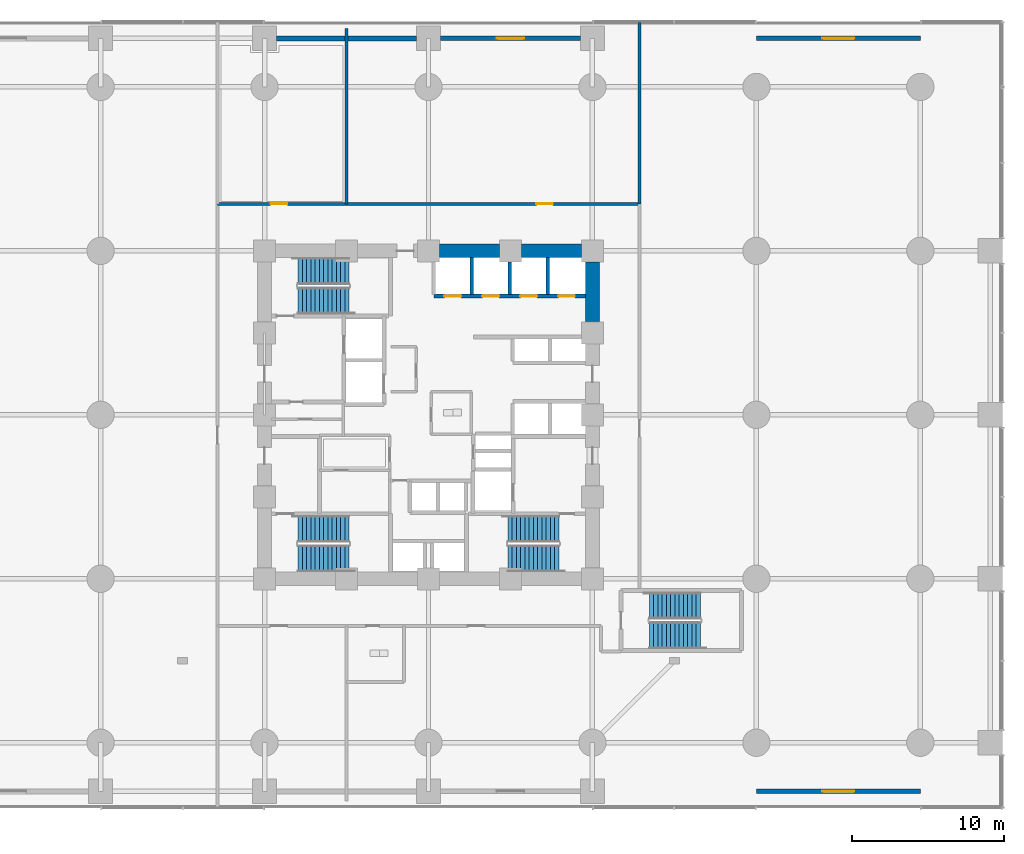
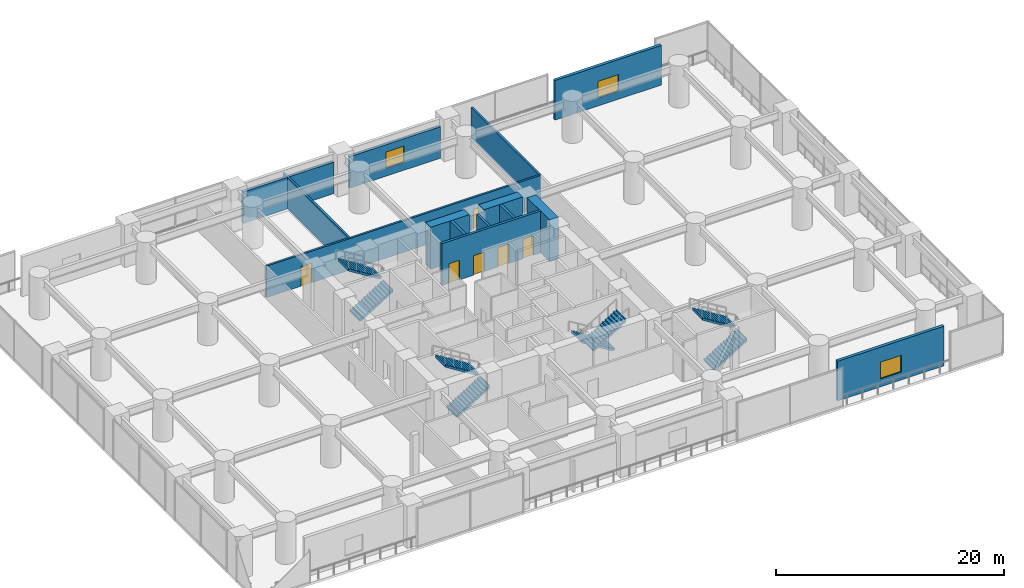
# One storey, part 29 of 36: 14 walls, 8 stair flights, 6 doors, 3 windows, 9 openings, 4 elements without a shape of their own.
"""IFC4 building model written with IfcOpenShell, lengths in metres."""

from ifc_helpers import new_model, si_unit, direction, frame, frame_2d, origin, place, context, subcontext, project, spatial, polyline, rectangle, outline, extrude, material, layer, layer_set, type_object, element, fill, aggregate, save


model = new_model("IFC4")

# Units and contexts
model_context = context("Model", 3, precision=1e-05, world=origin(), true_north=direction((0.0, 1.0)))
body_context = subcontext(model_context, "Body", "Model", "MODEL_VIEW")
ifc_project = project(units=[si_unit("LENGTHUNIT", "METRE"), si_unit("AREAUNIT", "SQUARE_METRE"), si_unit("VOLUMEUNIT", "CUBIC_METRE"), si_unit("PLANEANGLEUNIT", "RADIAN"), si_unit("MASSUNIT", "GRAM", prefix="KILO")], contexts=[model_context])

# Site, building, storey
site_placement = place(None, origin())
site = spatial("IfcSite", under=ifc_project, at=site_placement, CompositionType="ELEMENT")
building_placement = place(site_placement, origin())
building = spatial("IfcBuilding", under=site, at=building_placement, Name="Surkhivell Harbour Commons", CompositionType="ELEMENT")
storey_placement = place(building_placement, frame((0.0, 0.0, 9.0)))
storey = spatial("IfcBuildingStorey", under=building, at=storey_placement, Name="L02", CompositionType="ELEMENT", Elevation=9.0)

# Walls
ifc_material_1 = material(Name="Concrete C80/95", Category="concrete")
ifc_layer_1 = layer(ifc_material_1, 0.89990234375)
ifc_layer_set_1 = layer_set([ifc_layer_1], Name="Concrete C80/95")
wall_type_1 = type_object("IfcWallType", Name="WAL-CORE-900", PredefinedType="SHEAR", material=ifc_layer_set_1)
for number, where, z_axis, x_axis, name in (
    (1, (0.735107421875, 10.800048828125, 0.0), (0.0, 0.0, 1.0), (1.0, 0.0, 0.0), "L02 Core Shear Wall North 3"),
    (2, (6.135009765625, 10.800048828125, 0.0), (0.0, 0.0, 1.0), (1.0, 0.0, 0.0), "L02 Core Shear Wall North 4"),
    (3, (10.800048828125, 6.135009765625, 0.0), (0.0, 0.0, 1.0), (0.0, 1.0, 0.0), "L02 Core Shear Wall East 4"),
):
    element("IfcWall", number, at=place(storey_placement, frame(where, z_axis=z_axis, x_axis=x_axis)), inside=storey, type_object=wall_type_1, Name=name, PredefinedType="SHEAR", context=body_context, shape_type="SweptSolid", body=[
        extrude(rectangle(XDim=3.929931640625, YDim=0.89990234375, at=frame_2d((1.96484375, 0.0))), origin(), (0.0, 0.0, 1.0), 4.5),
    ])

# Wall, opening, window
ifc_material_2 = material(Name="Flemish-bond kiln brick and precast concrete C45/55", Category="masonry")
ifc_layer_2 = layer(ifc_material_2, 0.300048828125)
ifc_layer_set_2 = layer_set([ifc_layer_2], Name="Flemish-bond kiln brick and precast concrete C45/55")
wall_type_2 = type_object("IfcWallType", Name="WAL-EXT-BRK300", PredefinedType="STANDARD", material=ifc_layer_set_2)
wall_1_placement = place(storey_placement, frame((0.798095703125, 24.800048828125, 0.0), z_axis=(0.0, 0.0, 1.0), x_axis=(1.0, 0.0, 0.0)))
wall_1 = element("IfcWall", 4, at=wall_1_placement, inside=storey, type_object=wall_type_2, Name="L02 Podium Brick Facade Wall N5", PredefinedType="STANDARD", context=body_context, shape_type="SweptSolid", body=[
    extrude(rectangle(XDim=9.203857421875, YDim=0.300048828125, at=frame_2d((4.60205078125, 0.0))), origin(), (0.0, 0.0, 1.0), 3.37890625),
])
opening_1_placement = place(wall_1_placement, frame((3.701904296875, 0.0, 0.85009765625)))
opening_1 = element("IfcOpeningElement", 5, at=opening_1_placement, cuts=wall_1, Name="Opening WN-03", PredefinedType="OPENING", context=body_context, shape_type="SweptSolid", body=[
    extrude(rectangle(XDim=1.800048828125, YDim=1.75, at=frame_2d((0.89990234375, 0.875))), frame((0.0, 0.159912109375, 0.0), z_axis=(0.0, -1.0, 0.0), x_axis=(1.0, 0.0, 0.0)), (0.0, 0.0, 1.0), 0.320068359375),
])
ifc_material_3 = material(Name="Thermal-break aluminium frame and double low-E glazing", Category="aluminium")
window_type_1 = type_object("IfcWindowType", Name="WIN-POD-1800x1750", PartitioningType="DOUBLE_PANEL_VERTICAL", PredefinedType="WINDOW", material=ifc_material_3)
window_1_placement = place(opening_1_placement, origin())
window_1 = element("IfcWindow", 6, at=window_1_placement, inside=storey, type_object=window_type_1, Name="L02 Podium Punched Window N5", OverallHeight=1.75, OverallWidth=1.800048828125, PartitioningType="SINGLE_PANEL", PredefinedType="WINDOW", context=body_context, shape_type="SweptSolid", body=[
    extrude(rectangle(XDim=1.800048828125, YDim=1.75, at=frame_2d((0.89990234375, 0.875))), frame((0.0, 0.030029296875, 0.0), z_axis=(0.0, -1.0, 0.0), x_axis=(1.0, 0.0, 0.0)), (0.0, 0.0, 1.0), 0.06005859375),
])
fill(opening_1, window_1)

wall_2_placement = place(storey_placement, frame((21.60009765625, 24.800048828125, 0.0), z_axis=(0.0, 0.0, 1.0), x_axis=(1.0, 0.0, 0.0)))
wall_2 = element("IfcWall", 7, at=wall_2_placement, inside=storey, type_object=wall_type_2, Name="L02 Podium Brick Facade Wall N7", PredefinedType="STANDARD", context=body_context, shape_type="SweptSolid", body=[
    extrude(rectangle(XDim=10.7998046875, YDim=0.300048828125, at=frame_2d((5.39990234375, 0.0))), origin(), (0.0, 0.0, 1.0), 4.25),
])
opening_2_placement = place(wall_2_placement, frame((4.35009765625, 0.0, 0.85009765625)))
opening_2 = element("IfcOpeningElement", 8, at=opening_2_placement, cuts=wall_2, Name="Opening WN-02", PredefinedType="OPENING", context=body_context, shape_type="SweptSolid", body=[
    extrude(rectangle(XDim=2.10009765625, YDim=1.800048828125, at=frame_2d((1.050048828125, 0.89990234375))), frame((0.0, 0.159912109375, 0.0), z_axis=(0.0, -1.0, 0.0), x_axis=(1.0, 0.0, 0.0)), (0.0, 0.0, 1.0), 0.320068359375),
])
window_type_2 = type_object("IfcWindowType", Name="WIN-POD-2100x1800", PartitioningType="DOUBLE_PANEL_VERTICAL", PredefinedType="WINDOW", material=ifc_material_3)
window_2_placement = place(opening_2_placement, origin())
window_2 = element("IfcWindow", 9, at=window_2_placement, inside=storey, type_object=window_type_2, Name="L02 Podium Punched Window N7", OverallHeight=1.800048828125, OverallWidth=2.10009765625, PartitioningType="SINGLE_PANEL", PredefinedType="WINDOW", context=body_context, shape_type="SweptSolid", body=[
    extrude(rectangle(XDim=2.10009765625, YDim=1.800048828125, at=frame_2d((1.050048828125, 0.89990234375))), frame((0.0, 0.030029296875, 0.0), z_axis=(0.0, -1.0, 0.0), x_axis=(1.0, 0.0, 0.0)), (0.0, 0.0, 1.0), 0.06005859375),
])
fill(opening_2, window_2)

wall_3_placement = place(storey_placement, frame((32.39990234375, -24.800048828125, 0.0), z_axis=(0.0, 0.0, 1.0), x_axis=(-1.0, 0.0, 0.0)))
wall_3 = element("IfcWall", 10, at=wall_3_placement, inside=storey, type_object=wall_type_2, Name="L02 Podium Brick Facade Wall S7", PredefinedType="STANDARD", context=body_context, shape_type="SweptSolid", body=[
    extrude(rectangle(XDim=10.7998046875, YDim=0.300048828125, at=frame_2d((5.39990234375, 0.0))), origin(), (0.0, 0.0, 1.0), 4.25),
])
opening_3_placement = place(wall_3_placement, frame((4.35009765625, 0.0, 0.85009765625)))
opening_3 = element("IfcOpeningElement", 11, at=opening_3_placement, cuts=wall_3, Name="Opening WN-02", PredefinedType="OPENING", context=body_context, shape_type="SweptSolid", body=[
    extrude(rectangle(XDim=2.10009765625, YDim=1.800048828125, at=frame_2d((1.050048828125, 0.89990234375))), frame((0.0, 0.159912109375, 0.0), z_axis=(0.0, -1.0, 0.0), x_axis=(1.0, 0.0, 0.0)), (0.0, 0.0, 1.0), 0.320068359375),
])
window_3_placement = place(opening_3_placement, origin())
window_3 = element("IfcWindow", 12, at=window_3_placement, inside=storey, type_object=window_type_2, Name="L02 Podium Punched Window S7", OverallHeight=1.800048828125, OverallWidth=2.10009765625, PartitioningType="SINGLE_PANEL", PredefinedType="WINDOW", context=body_context, shape_type="SweptSolid", body=[
    extrude(rectangle(XDim=2.10009765625, YDim=1.800048828125, at=frame_2d((1.050048828125, 0.89990234375))), frame((0.0, 0.030029296875, 0.0), z_axis=(0.0, -1.0, 0.0), x_axis=(1.0, 0.0, 0.0)), (0.0, 0.0, 1.0), 0.06005859375),
])
fill(opening_3, window_3)

# Walls
ifc_material_4 = material(Name="Kiln-fired surkhi brick and precast concrete C45/55", Category="masonry")
ifc_layer_3 = layer(ifc_material_4, 0.320068359375)
ifc_layer_set_3 = layer_set([ifc_layer_3], Name="Kiln-fired surkhi brick and precast concrete C45/55")
wall_type_3 = type_object("IfcWallType", Name="WAL-EXT-BRK320", PredefinedType="STANDARD", material=ifc_layer_set_3)
wall_4_placement = place(storey_placement, frame((-10.001953125, 24.800048828125, 0.0), z_axis=(0.0, 0.0, 1.0), x_axis=(1.0, 0.0, 0.0)))
element("IfcWall", 13, at=wall_4_placement, inside=storey, type_object=wall_type_3, Name="L02 Podium Brick Facade Wall N4", PredefinedType="STANDARD", context=body_context, shape_type="SweptSolid", body=[
    extrude(rectangle(XDim=9.203857421875, YDim=0.320068359375, at=frame_2d((4.60205078125, 0.0))), origin(), (0.0, 0.0, 1.0), 3.37890625),
])
ifc_material_5 = material(Name="Autoclaved aerated concrete blockwork and fire plaster", Category="masonry")
ifc_layer_4 = layer(ifc_material_5, 0.199951171875)
ifc_layer_set_4 = layer_set([ifc_layer_4], Name="Autoclaved aerated concrete blockwork and fire plaster")
wall_type_4 = type_object("IfcWallType", Name="WAL-INT-200", PredefinedType="PARTITIONING", material=ifc_layer_set_4)
wall_5_placement = place(storey_placement, frame((-5.39990234375, 13.89990234375, 0.0), z_axis=(0.0, 0.0, 1.0), x_axis=(0.0, 1.0, 0.0)))
element("IfcWall", 14, at=wall_5_placement, inside=storey, type_object=wall_type_4, Name="L02 Podium North Divider", PredefinedType="PARTITIONING", context=body_context, shape_type="SweptSolid", body=[
    extrude(rectangle(XDim=11.550048828125, YDim=0.199951171875, at=frame_2d((5.77490234375, 0.0))), origin(), (0.0, 0.0, 1.0), 3.37890625),
])

# Wall, openings, doors
wall_6_placement = place(storey_placement, frame((-13.89990234375, 13.89990234375, 0.0), z_axis=(0.0, 0.0, 1.0), x_axis=(1.0, 0.0, 0.0)))
wall_6 = element("IfcWall", 15, at=wall_6_placement, inside=storey, type_object=wall_type_4, Name="L02 Corridor North Wall", PredefinedType="PARTITIONING", context=body_context, shape_type="SweptSolid", body=[
    extrude(rectangle(XDim=27.7998046875, YDim=0.199951171875, at=frame_2d((13.89990234375, 0.0))), origin(), (0.0, 0.0, 1.0), 3.37890625),
])
opening_4_placement = place(wall_6_placement, frame((3.5, 0.0, 0.0)))
opening_4 = element("IfcOpeningElement", 16, at=opening_4_placement, cuts=wall_6, Name="Opening ID-2", PredefinedType="OPENING", context=body_context, shape_type="SweptSolid", body=[
    extrude(rectangle(XDim=1.10009765625, YDim=2.10009765625, at=frame_2d((0.550048828125, 1.050048828125))), frame((0.0, 0.10986328125, 0.0), z_axis=(0.0, -1.0, 0.0), x_axis=(1.0, 0.0, 0.0)), (0.0, 0.0, 1.0), 0.219970703125),
])
opening_5_placement = place(wall_6_placement, frame((21.0, 0.0, 0.0)))
opening_5 = element("IfcOpeningElement", 17, at=opening_5_placement, cuts=wall_6, Name="Opening ID-2", PredefinedType="OPENING", context=body_context, shape_type="SweptSolid", body=[
    extrude(rectangle(XDim=1.10009765625, YDim=2.10009765625, at=frame_2d((0.550048828125, 1.050048828125))), frame((0.0, 0.10986328125, 0.0), z_axis=(0.0, -1.0, 0.0), x_axis=(1.0, 0.0, 0.0)), (0.0, 0.0, 1.0), 0.219970703125),
])
ifc_material_6 = material(Name="Hardwood-veneered fire-rated door leaf", Category="wood")
door_type_1 = type_object("IfcDoorType", Name="DOR-FD60-1100", OperationType="NOTDEFINED", PredefinedType="DOOR", material=ifc_material_6)
door_1_placement = place(opening_4_placement, origin())
door_1 = element("IfcDoor", 18, at=door_1_placement, inside=storey, type_object=door_type_1, Name="L02 Communal Dining Refectory Door", OperationType="SINGLE_SWING_RIGHT", OverallHeight=2.10009765625, OverallWidth=1.10009765625, PredefinedType="DOOR", context=body_context, shape_type="SweptSolid", body=[
    extrude(rectangle(XDim=1.10009765625, YDim=2.10009765625, at=frame_2d((0.550048828125, 1.050048828125))), frame((0.0, 0.02490234375, 0.0), z_axis=(0.0, -1.0, 0.0), x_axis=(1.0, 0.0, 0.0)), (0.0, 0.0, 1.0), 0.050048828125),
])
fill(opening_4, door_1)
door_2_placement = place(opening_5_placement, origin())
door_2 = element("IfcDoor", 19, at=door_2_placement, inside=storey, type_object=door_type_1, Name="L02 Catering Production Kitchen Door", OperationType="SINGLE_SWING_LEFT", OverallHeight=2.10009765625, OverallWidth=1.10009765625, PredefinedType="DOOR", context=body_context, shape_type="SweptSolid", body=[
    extrude(rectangle(XDim=1.10009765625, YDim=2.10009765625, at=frame_2d((0.550048828125, 1.050048828125))), frame((0.0, 0.02490234375, 0.0), z_axis=(0.0, -1.0, 0.0), x_axis=(1.0, 0.0, 0.0)), (0.0, 0.0, 1.0), 0.050048828125),
])
fill(opening_5, door_2)

# Walls
wall_7_placement = place(storey_placement, frame((13.89990234375, 13.89990234375, 0.0), z_axis=(0.0, 0.0, 1.0), x_axis=(0.0, 1.0, 0.0)))
element("IfcWall", 20, at=wall_7_placement, inside=storey, type_object=wall_type_4, Name="L02 Corner NE Divider", PredefinedType="PARTITIONING", context=body_context, shape_type="SweptSolid", body=[
    extrude(rectangle(XDim=11.960205078125, YDim=0.199951171875, at=frame_2d((5.97998046875, 0.0))), origin(), (0.0, 0.0, 1.0), 3.37890625),
])
ifc_material_7 = material(Name="Concrete C50/60", Category="concrete")
ifc_layer_5 = layer(ifc_material_7, 0.25)
ifc_layer_set_5 = layer_set([ifc_layer_5], Name="Concrete C50/60")
wall_type_5 = type_object("IfcWallType", Name="WAL-SHAFT-250", PredefinedType="SHEAR", material=ifc_layer_set_5)
wall_8_placement = place(storey_placement, frame((2.85009765625, 7.93994140625, 0.0), z_axis=(0.0, 0.0, 1.0), x_axis=(0.0, 1.0, 0.0)))
element("IfcWall", 21, at=wall_8_placement, inside=storey, type_object=wall_type_5, Name="L02 Low-Rise Hoistway Wall", PredefinedType="SHEAR", context=body_context, shape_type="SweptSolid", body=[
    extrude(rectangle(XDim=2.41015625, YDim=0.25, at=frame_2d((1.205078125, 0.0))), origin(), (0.0, 0.0, 1.0), 4.5),
])
wall_9_placement = place(storey_placement, frame((5.35009765625, 7.93994140625, 0.0), z_axis=(0.0, 0.0, 1.0), x_axis=(0.0, 1.0, 0.0)))
element("IfcWall", 22, at=wall_9_placement, inside=storey, type_object=wall_type_5, Name="L02 Low-Rise Hoistway Wall", PredefinedType="SHEAR", context=body_context, shape_type="SweptSolid", body=[
    extrude(rectangle(XDim=2.135009765625, YDim=0.25, at=frame_2d((1.0673828125, 0.0))), origin(), (0.0, 0.0, 1.0), 4.5),
])
wall_10_placement = place(storey_placement, frame((7.85009765625, 7.93994140625, 0.0), z_axis=(0.0, 0.0, 1.0), x_axis=(0.0, 1.0, 0.0)))
element("IfcWall", 23, at=wall_10_placement, inside=storey, type_object=wall_type_5, Name="L02 Low-Rise Hoistway Wall", PredefinedType="SHEAR", context=body_context, shape_type="SweptSolid", body=[
    extrude(rectangle(XDim=2.41015625, YDim=0.25, at=frame_2d((1.205078125, 0.0))), origin(), (0.0, 0.0, 1.0), 4.5),
])

# Wall, openings, doors
wall_11_placement = place(storey_placement, frame((0.35009765625, 7.820068359375, 0.0), z_axis=(0.0, 0.0, 1.0), x_axis=(1.0, 0.0, 0.0)))
wall_11 = element("IfcWall", 24, at=wall_11_placement, inside=storey, type_object=wall_type_5, Name="L02 Low-Rise Lift Front Shaft Wall", PredefinedType="SHEAR", context=body_context, shape_type="SweptSolid", body=[
    extrude(rectangle(XDim=10.0, YDim=0.25, at=frame_2d((5.0, 0.0))), origin(), (0.0, 0.0, 1.0), 4.5),
])
opening_6_placement = place(wall_11_placement, frame((0.699951171875, 0.0, 0.0)))
opening_6 = element("IfcOpeningElement", 25, at=opening_6_placement, cuts=wall_11, Name="Opening LD-1", PredefinedType="OPENING", context=body_context, shape_type="SweptSolid", body=[
    extrude(rectangle(XDim=1.10009765625, YDim=2.10009765625, at=frame_2d((0.550048828125, 1.050048828125))), frame((0.0, 0.135009765625, 0.0), z_axis=(0.0, -1.0, 0.0), x_axis=(1.0, 0.0, 0.0)), (0.0, 0.0, 1.0), 0.27001953125),
])
opening_7_placement = place(wall_11_placement, frame((3.199951171875, 0.0, 0.0)))
opening_7 = element("IfcOpeningElement", 26, at=opening_7_placement, cuts=wall_11, Name="Opening LD-1", PredefinedType="OPENING", context=body_context, shape_type="SweptSolid", body=[
    extrude(rectangle(XDim=1.10009765625, YDim=2.10009765625, at=frame_2d((0.550048828125, 1.050048828125))), frame((0.0, 0.135009765625, 0.0), z_axis=(0.0, -1.0, 0.0), x_axis=(1.0, 0.0, 0.0)), (0.0, 0.0, 1.0), 0.27001953125),
])
opening_8_placement = place(wall_11_placement, frame((5.699951171875, 0.0, 0.0)))
opening_8 = element("IfcOpeningElement", 27, at=opening_8_placement, cuts=wall_11, Name="Opening LD-1", PredefinedType="OPENING", context=body_context, shape_type="SweptSolid", body=[
    extrude(rectangle(XDim=1.10009765625, YDim=2.10009765625, at=frame_2d((0.550048828125, 1.050048828125))), frame((0.0, 0.135009765625, 0.0), z_axis=(0.0, -1.0, 0.0), x_axis=(1.0, 0.0, 0.0)), (0.0, 0.0, 1.0), 0.27001953125),
])
opening_9_placement = place(wall_11_placement, frame((8.199951171875, 0.0, 0.0)))
opening_9 = element("IfcOpeningElement", 28, at=opening_9_placement, cuts=wall_11, Name="Opening LD-1", PredefinedType="OPENING", context=body_context, shape_type="SweptSolid", body=[
    extrude(rectangle(XDim=1.10009765625, YDim=2.10009765625, at=frame_2d((0.550048828125, 1.050048828125))), frame((0.0, 0.135009765625, 0.0), z_axis=(0.0, -1.0, 0.0), x_axis=(1.0, 0.0, 0.0)), (0.0, 0.0, 1.0), 0.27001953125),
])
ifc_material_8 = material(Name="Brushed stainless steel S355", Category="steel")
door_type_2 = type_object("IfcDoorType", Name="DOR-LD-1100", OperationType="SLIDING_TO_LEFT", PredefinedType="DOOR", material=ifc_material_8)
door_3_placement = place(opening_6_placement, origin())
door_3 = element("IfcDoor", 29, at=door_3_placement, inside=storey, type_object=door_type_2, Name="L02 Lift Landing Door LD-PL1", OperationType="SLIDING_TO_LEFT", OverallHeight=2.10009765625, OverallWidth=1.10009765625, PredefinedType="DOOR", context=body_context, shape_type="SweptSolid", body=[
    extrude(rectangle(XDim=1.10009765625, YDim=2.10009765625, at=frame_2d((0.550048828125, 1.050048828125))), frame((0.0, 0.02490234375, 0.0), z_axis=(0.0, -1.0, 0.0), x_axis=(1.0, 0.0, 0.0)), (0.0, 0.0, 1.0), 0.050048828125),
])
fill(opening_6, door_3)
door_4_placement = place(opening_7_placement, origin())
door_4 = element("IfcDoor", 30, at=door_4_placement, inside=storey, type_object=door_type_2, Name="L02 Lift Landing Door LD-PL2", OperationType="SLIDING_TO_LEFT", OverallHeight=2.10009765625, OverallWidth=1.10009765625, PredefinedType="DOOR", context=body_context, shape_type="SweptSolid", body=[
    extrude(rectangle(XDim=1.10009765625, YDim=2.10009765625, at=frame_2d((0.550048828125, 1.050048828125))), frame((0.0, 0.02490234375, 0.0), z_axis=(0.0, -1.0, 0.0), x_axis=(1.0, 0.0, 0.0)), (0.0, 0.0, 1.0), 0.050048828125),
])
fill(opening_7, door_4)
door_5_placement = place(opening_8_placement, origin())
door_5 = element("IfcDoor", 31, at=door_5_placement, inside=storey, type_object=door_type_2, Name="L02 Lift Landing Door LD-PL3", OperationType="SLIDING_TO_LEFT", OverallHeight=2.10009765625, OverallWidth=1.10009765625, PredefinedType="DOOR", context=body_context, shape_type="SweptSolid", body=[
    extrude(rectangle(XDim=1.10009765625, YDim=2.10009765625, at=frame_2d((0.550048828125, 1.050048828125))), frame((0.0, 0.02490234375, 0.0), z_axis=(0.0, -1.0, 0.0), x_axis=(1.0, 0.0, 0.0)), (0.0, 0.0, 1.0), 0.050048828125),
])
fill(opening_8, door_5)
door_6_placement = place(opening_9_placement, origin())
door_6 = element("IfcDoor", 32, at=door_6_placement, inside=storey, type_object=door_type_2, Name="L02 Lift Landing Door LD-PL4", OperationType="SLIDING_TO_LEFT", OverallHeight=2.10009765625, OverallWidth=1.10009765625, PredefinedType="DOOR", context=body_context, shape_type="SweptSolid", body=[
    extrude(rectangle(XDim=1.10009765625, YDim=2.10009765625, at=frame_2d((0.550048828125, 1.050048828125))), frame((0.0, 0.02490234375, 0.0), z_axis=(0.0, -1.0, 0.0), x_axis=(1.0, 0.0, 0.0)), (0.0, 0.0, 1.0), 0.050048828125),
])
fill(opening_9, door_6)

# Stair, stair flights
ifc_material_9 = material(Name="Precast concrete C45/55", Category="concrete")
stair_type = type_object("IfcStairType", Name="STR-DL-450", PredefinedType="HALF_TURN_STAIR", material=ifc_material_9)
stair_1_placement = place(storey_placement, origin())
stair_1 = element("IfcStair", 33, at=stair_1_placement, inside=storey, type_object=stair_type, Name="L02 Core Exit Stair ST1", PredefinedType="HALF_TURN_STAIR")
stair_flight_type = type_object("IfcStairFlightType", Name="STF-DL-450", PredefinedType="STRAIGHT", material=ifc_material_9)
stair_flight_1_placement = place(storey_placement, frame((-8.590087890625, 7.514892578125, 0.0), z_axis=(0.0, 0.0, 1.0), x_axis=(1.0, 0.0, 0.0)))
stair_flight_1 = element("IfcStairFlight", 34, at=stair_flight_1_placement, type_object=stair_flight_type, Name="ST1 flight 1", NumberOfRisers=13, NumberOfTreads=12, PredefinedType="STRAIGHT", RiserHeight=0.173076923, TreadLength=0.28, context=body_context, shape_type="SweptSolid", body=[
    extrude(outline(polyline([(-0.0029296875, -0.034912109375), (-0.0029296875, 0.0), (0.0, 0.0), (0.0, 0.173095703125), (0.280029296875, 0.173095703125), (0.280029296875, 0.34619140625), (0.56005859375, 0.34619140625), (0.56005859375, 0.519287109375), (0.840087890625, 0.519287109375), (0.840087890625, 0.6923828125), (1.1201171875, 0.6923828125), (1.1201171875, 0.865478515625), (1.39990234375, 0.865478515625), (1.39990234375, 1.03857421875), (1.679931640625, 1.03857421875), (1.679931640625, 1.21142578125), (1.9599609375, 1.21142578125), (1.9599609375, 1.384521484375), (2.239990234375, 1.384521484375), (2.239990234375, 1.5576171875), (2.52001953125, 1.5576171875), (2.52001953125, 1.730712890625), (2.800048828125, 1.730712890625), (2.800048828125, 1.90380859375), (3.080078125, 1.90380859375), (3.080078125, 2.076904296875), (3.360107421875, 2.076904296875), (3.360107421875, 2.25), (3.363037109375, 2.25), (3.363037109375, 1.900634765625), (0.28515625, -0.034912109375), (-0.0029296875, -0.034912109375)])), frame((0.0, 0.875, 0.0), z_axis=(0.0, -1.0, 0.0), x_axis=(1.0, 0.0, 0.0)), (0.0, 0.0, 1.0), 1.75),
])
stair_flight_2_placement = place(storey_placement, frame((-5.22998046875, 9.465087890625, 2.25), z_axis=(0.0, 0.0, 1.0), x_axis=(-1.0, 0.0, 0.0)))
stair_flight_2 = element("IfcStairFlight", 35, at=stair_flight_2_placement, type_object=stair_flight_type, Name="ST1 flight 2", NumberOfRisers=13, NumberOfTreads=12, PredefinedType="STRAIGHT", RiserHeight=0.173076923, TreadLength=0.28, context=body_context, shape_type="SweptSolid", body=[
    extrude(outline(polyline([(-0.0029296875, -0.034912109375), (-0.0029296875, 0.0), (0.0, 0.0), (0.0, 0.173095703125), (0.280029296875, 0.173095703125), (0.280029296875, 0.34619140625), (0.56005859375, 0.34619140625), (0.56005859375, 0.519287109375), (0.840087890625, 0.519287109375), (0.840087890625, 0.6923828125), (1.1201171875, 0.6923828125), (1.1201171875, 0.865478515625), (1.39990234375, 0.865478515625), (1.39990234375, 1.03857421875), (1.679931640625, 1.03857421875), (1.679931640625, 1.21142578125), (1.9599609375, 1.21142578125), (1.9599609375, 1.384521484375), (2.239990234375, 1.384521484375), (2.239990234375, 1.5576171875), (2.52001953125, 1.5576171875), (2.52001953125, 1.730712890625), (2.800048828125, 1.730712890625), (2.800048828125, 1.90380859375), (3.080078125, 1.90380859375), (3.080078125, 2.076904296875), (3.360107421875, 2.076904296875), (3.360107421875, 2.25), (3.363037109375, 2.25), (3.363037109375, 1.900634765625), (0.28515625, -0.034912109375), (-0.0029296875, -0.034912109375)])), frame((0.0, 0.875, 0.0), z_axis=(0.0, -1.0, 0.0), x_axis=(1.0, 0.0, 0.0)), (0.0, 0.0, 1.0), 1.75),
])
aggregate(stair_1, [stair_flight_1, stair_flight_2])

stair_2_placement = place(storey_placement, origin())
stair_2 = element("IfcStair", 36, at=stair_2_placement, inside=storey, type_object=stair_type, Name="L02 Core Exit Stair ST2", PredefinedType="HALF_TURN_STAIR")
stair_flight_3_placement = place(storey_placement, frame((8.590087890625, -7.514892578125, 0.0), z_axis=(0.0, 0.0, 1.0), x_axis=(-1.0, 0.0, 0.0)))
stair_flight_3 = element("IfcStairFlight", 37, at=stair_flight_3_placement, type_object=stair_flight_type, Name="ST2 flight 1", NumberOfRisers=13, NumberOfTreads=12, PredefinedType="STRAIGHT", RiserHeight=0.173076923, TreadLength=0.28, context=body_context, shape_type="SweptSolid", body=[
    extrude(outline(polyline([(-0.0029296875, -0.034912109375), (-0.0029296875, 0.0), (0.0, 0.0), (0.0, 0.173095703125), (0.280029296875, 0.173095703125), (0.280029296875, 0.34619140625), (0.56005859375, 0.34619140625), (0.56005859375, 0.519287109375), (0.840087890625, 0.519287109375), (0.840087890625, 0.6923828125), (1.1201171875, 0.6923828125), (1.1201171875, 0.865478515625), (1.39990234375, 0.865478515625), (1.39990234375, 1.03857421875), (1.679931640625, 1.03857421875), (1.679931640625, 1.21142578125), (1.9599609375, 1.21142578125), (1.9599609375, 1.384521484375), (2.239990234375, 1.384521484375), (2.239990234375, 1.5576171875), (2.52001953125, 1.5576171875), (2.52001953125, 1.730712890625), (2.800048828125, 1.730712890625), (2.800048828125, 1.90380859375), (3.080078125, 1.90380859375), (3.080078125, 2.076904296875), (3.360107421875, 2.076904296875), (3.360107421875, 2.25), (3.363037109375, 2.25), (3.363037109375, 1.900634765625), (0.28515625, -0.034912109375), (-0.0029296875, -0.034912109375)])), frame((0.0, 0.875, 0.0), z_axis=(0.0, -1.0, 0.0), x_axis=(1.0, 0.0, 0.0)), (0.0, 0.0, 1.0), 1.75),
])
stair_flight_4_placement = place(storey_placement, frame((5.22998046875, -9.465087890625, 2.25), z_axis=(0.0, 0.0, 1.0), x_axis=(1.0, 0.0, 0.0)))
stair_flight_4 = element("IfcStairFlight", 38, at=stair_flight_4_placement, type_object=stair_flight_type, Name="ST2 flight 2", NumberOfRisers=13, NumberOfTreads=12, PredefinedType="STRAIGHT", RiserHeight=0.173076923, TreadLength=0.28, context=body_context, shape_type="SweptSolid", body=[
    extrude(outline(polyline([(-0.0029296875, -0.034912109375), (-0.0029296875, 0.0), (0.0, 0.0), (0.0, 0.173095703125), (0.280029296875, 0.173095703125), (0.280029296875, 0.34619140625), (0.56005859375, 0.34619140625), (0.56005859375, 0.519287109375), (0.840087890625, 0.519287109375), (0.840087890625, 0.6923828125), (1.1201171875, 0.6923828125), (1.1201171875, 0.865478515625), (1.39990234375, 0.865478515625), (1.39990234375, 1.03857421875), (1.679931640625, 1.03857421875), (1.679931640625, 1.21142578125), (1.9599609375, 1.21142578125), (1.9599609375, 1.384521484375), (2.239990234375, 1.384521484375), (2.239990234375, 1.5576171875), (2.52001953125, 1.5576171875), (2.52001953125, 1.730712890625), (2.800048828125, 1.730712890625), (2.800048828125, 1.90380859375), (3.080078125, 1.90380859375), (3.080078125, 2.076904296875), (3.360107421875, 2.076904296875), (3.360107421875, 2.25), (3.363037109375, 2.25), (3.363037109375, 1.900634765625), (0.28515625, -0.034912109375), (-0.0029296875, -0.034912109375)])), frame((0.0, 0.875, 0.0), z_axis=(0.0, -1.0, 0.0), x_axis=(1.0, 0.0, 0.0)), (0.0, 0.0, 1.0), 1.75),
])
aggregate(stair_2, [stair_flight_3, stair_flight_4])

stair_3_placement = place(storey_placement, origin())
stair_3 = element("IfcStair", 39, at=stair_3_placement, inside=storey, type_object=stair_type, Name="L02 Core Exit Stair ST3", PredefinedType="HALF_TURN_STAIR")
stair_flight_5_placement = place(storey_placement, frame((-8.590087890625, -9.465087890625, 0.0), z_axis=(0.0, 0.0, 1.0), x_axis=(1.0, 0.0, 0.0)))
stair_flight_5 = element("IfcStairFlight", 40, at=stair_flight_5_placement, type_object=stair_flight_type, Name="ST3 flight 1", NumberOfRisers=13, NumberOfTreads=12, PredefinedType="STRAIGHT", RiserHeight=0.173076923, TreadLength=0.28, context=body_context, shape_type="SweptSolid", body=[
    extrude(outline(polyline([(-0.0029296875, -0.034912109375), (-0.0029296875, 0.0), (0.0, 0.0), (0.0, 0.173095703125), (0.280029296875, 0.173095703125), (0.280029296875, 0.34619140625), (0.56005859375, 0.34619140625), (0.56005859375, 0.519287109375), (0.840087890625, 0.519287109375), (0.840087890625, 0.6923828125), (1.1201171875, 0.6923828125), (1.1201171875, 0.865478515625), (1.39990234375, 0.865478515625), (1.39990234375, 1.03857421875), (1.679931640625, 1.03857421875), (1.679931640625, 1.21142578125), (1.9599609375, 1.21142578125), (1.9599609375, 1.384521484375), (2.239990234375, 1.384521484375), (2.239990234375, 1.5576171875), (2.52001953125, 1.5576171875), (2.52001953125, 1.730712890625), (2.800048828125, 1.730712890625), (2.800048828125, 1.90380859375), (3.080078125, 1.90380859375), (3.080078125, 2.076904296875), (3.360107421875, 2.076904296875), (3.360107421875, 2.25), (3.363037109375, 2.25), (3.363037109375, 1.900634765625), (0.28515625, -0.034912109375), (-0.0029296875, -0.034912109375)])), frame((0.0, 0.875, 0.0), z_axis=(0.0, -1.0, 0.0), x_axis=(1.0, 0.0, 0.0)), (0.0, 0.0, 1.0), 1.75),
])
stair_flight_6_placement = place(storey_placement, frame((-5.22998046875, -7.514892578125, 2.25), z_axis=(0.0, 0.0, 1.0), x_axis=(-1.0, 0.0, 0.0)))
stair_flight_6 = element("IfcStairFlight", 41, at=stair_flight_6_placement, type_object=stair_flight_type, Name="ST3 flight 2", NumberOfRisers=13, NumberOfTreads=12, PredefinedType="STRAIGHT", RiserHeight=0.173076923, TreadLength=0.28, context=body_context, shape_type="SweptSolid", body=[
    extrude(outline(polyline([(-0.0029296875, -0.034912109375), (-0.0029296875, 0.0), (0.0, 0.0), (0.0, 0.173095703125), (0.280029296875, 0.173095703125), (0.280029296875, 0.34619140625), (0.56005859375, 0.34619140625), (0.56005859375, 0.519287109375), (0.840087890625, 0.519287109375), (0.840087890625, 0.6923828125), (1.1201171875, 0.6923828125), (1.1201171875, 0.865478515625), (1.39990234375, 0.865478515625), (1.39990234375, 1.03857421875), (1.679931640625, 1.03857421875), (1.679931640625, 1.21142578125), (1.9599609375, 1.21142578125), (1.9599609375, 1.384521484375), (2.239990234375, 1.384521484375), (2.239990234375, 1.5576171875), (2.52001953125, 1.5576171875), (2.52001953125, 1.730712890625), (2.800048828125, 1.730712890625), (2.800048828125, 1.90380859375), (3.080078125, 1.90380859375), (3.080078125, 2.076904296875), (3.360107421875, 2.076904296875), (3.360107421875, 2.25), (3.363037109375, 2.25), (3.363037109375, 1.900634765625), (0.28515625, -0.034912109375), (-0.0029296875, -0.034912109375)])), frame((0.0, 0.875, 0.0), z_axis=(0.0, -1.0, 0.0), x_axis=(1.0, 0.0, 0.0)), (0.0, 0.0, 1.0), 1.75),
])
aggregate(stair_3, [stair_flight_5, stair_flight_6])

stair_4_placement = place(storey_placement, origin())
stair_4 = element("IfcStair", 42, at=stair_4_placement, inside=storey, type_object=stair_type, Name="L02 Podium Exit Stair ST4", PredefinedType="HALF_TURN_STAIR")
stair_flight_7_placement = place(storey_placement, frame((14.550048828125, -14.52490234375, 0.0), z_axis=(0.0, 0.0, 1.0), x_axis=(1.0, 0.0, 0.0)))
stair_flight_7 = element("IfcStairFlight", 43, at=stair_flight_7_placement, type_object=stair_flight_type, Name="ST4 flight 1", NumberOfRisers=13, NumberOfTreads=12, PredefinedType="STRAIGHT", RiserHeight=0.173076923, TreadLength=0.28, context=body_context, shape_type="SweptSolid", body=[
    extrude(outline(polyline([(-0.0029296875, -0.034912109375), (-0.0029296875, 0.0), (0.0, 0.0), (0.0, 0.173095703125), (0.280029296875, 0.173095703125), (0.280029296875, 0.34619140625), (0.56005859375, 0.34619140625), (0.56005859375, 0.519287109375), (0.840087890625, 0.519287109375), (0.840087890625, 0.6923828125), (1.1201171875, 0.6923828125), (1.1201171875, 0.865478515625), (1.39990234375, 0.865478515625), (1.39990234375, 1.03857421875), (1.679931640625, 1.03857421875), (1.679931640625, 1.21142578125), (1.9599609375, 1.21142578125), (1.9599609375, 1.384521484375), (2.239990234375, 1.384521484375), (2.239990234375, 1.5576171875), (2.52001953125, 1.5576171875), (2.52001953125, 1.730712890625), (2.800048828125, 1.730712890625), (2.800048828125, 1.90380859375), (3.080078125, 1.90380859375), (3.080078125, 2.076904296875), (3.360107421875, 2.076904296875), (3.360107421875, 2.25), (3.363037109375, 2.25), (3.363037109375, 1.900634765625), (0.28515625, -0.034912109375), (-0.0029296875, -0.034912109375)])), frame((0.0, 0.875, 0.0), z_axis=(0.0, -1.0, 0.0), x_axis=(1.0, 0.0, 0.0)), (0.0, 0.0, 1.0), 1.75),
])
stair_flight_8_placement = place(storey_placement, frame((17.909912109375, -12.574951171875, 2.25), z_axis=(0.0, 0.0, 1.0), x_axis=(-1.0, 0.0, 0.0)))
stair_flight_8 = element("IfcStairFlight", 44, at=stair_flight_8_placement, type_object=stair_flight_type, Name="ST4 flight 2", NumberOfRisers=13, NumberOfTreads=12, PredefinedType="STRAIGHT", RiserHeight=0.173076923, TreadLength=0.28, context=body_context, shape_type="SweptSolid", body=[
    extrude(outline(polyline([(-0.0029296875, -0.034912109375), (-0.0029296875, 0.0), (0.0, 0.0), (0.0, 0.173095703125), (0.280029296875, 0.173095703125), (0.280029296875, 0.34619140625), (0.56005859375, 0.34619140625), (0.56005859375, 0.519287109375), (0.840087890625, 0.519287109375), (0.840087890625, 0.6923828125), (1.1201171875, 0.6923828125), (1.1201171875, 0.865478515625), (1.39990234375, 0.865478515625), (1.39990234375, 1.03857421875), (1.679931640625, 1.03857421875), (1.679931640625, 1.21142578125), (1.9599609375, 1.21142578125), (1.9599609375, 1.384521484375), (2.239990234375, 1.384521484375), (2.239990234375, 1.5576171875), (2.52001953125, 1.5576171875), (2.52001953125, 1.730712890625), (2.800048828125, 1.730712890625), (2.800048828125, 1.90380859375), (3.080078125, 1.90380859375), (3.080078125, 2.076904296875), (3.360107421875, 2.076904296875), (3.360107421875, 2.25), (3.363037109375, 2.25), (3.363037109375, 1.900634765625), (0.28515625, -0.034912109375), (-0.0029296875, -0.034912109375)])), frame((0.0, 0.875, 0.0), z_axis=(0.0, -1.0, 0.0), x_axis=(1.0, 0.0, 0.0)), (0.0, 0.0, 1.0), 1.75),
])
aggregate(stair_4, [stair_flight_7, stair_flight_8])

save(model, "model.ifc")
